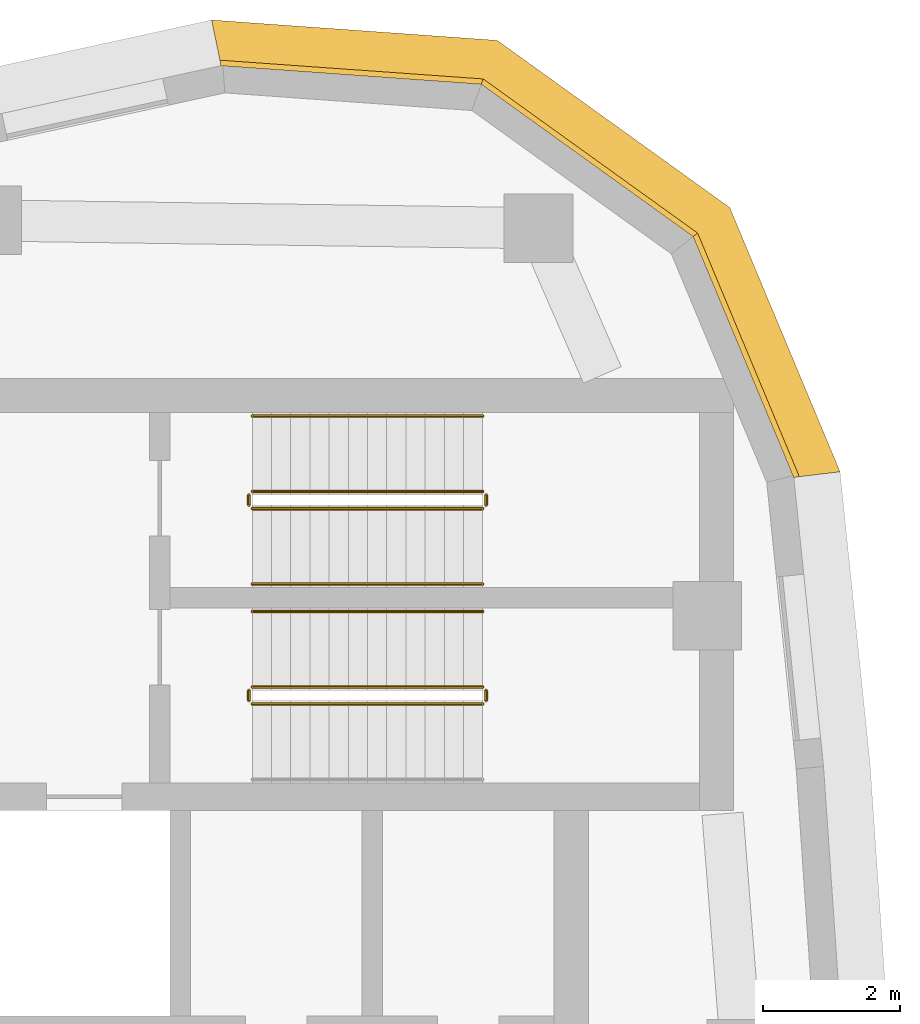
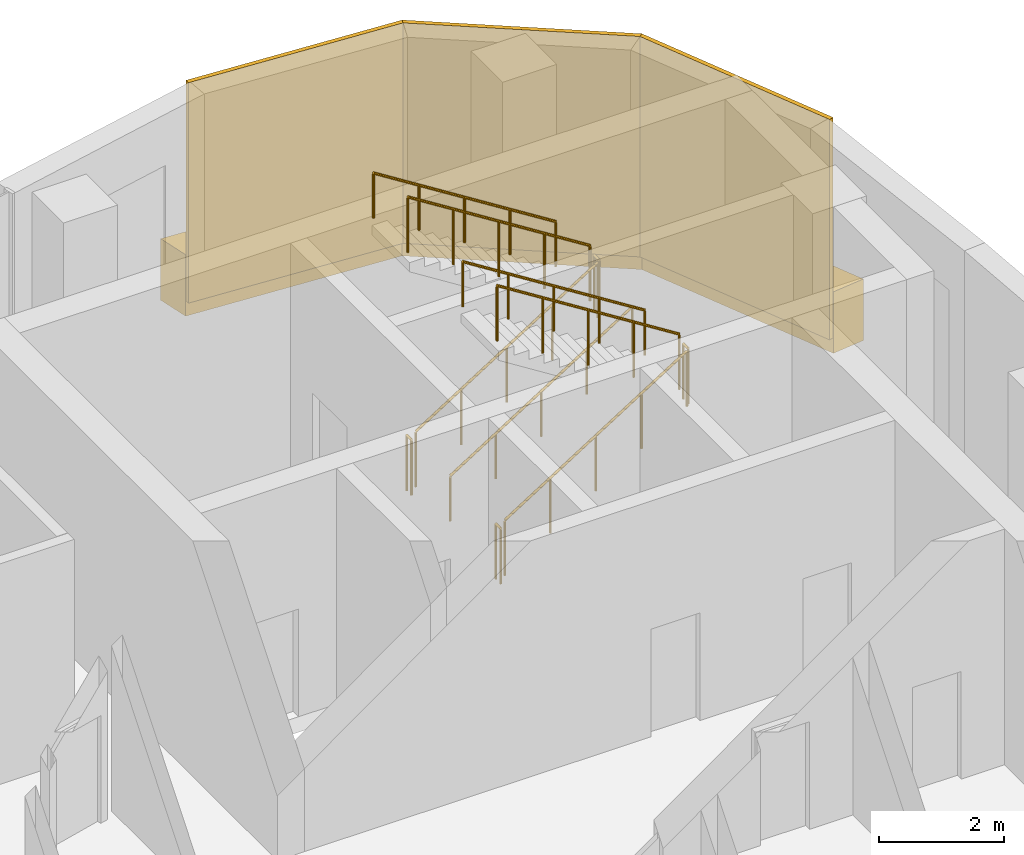
# One storey, part 14 of 15: 11 railings, 4 coverings.
"""IFC4 building model written with IfcOpenShell, lengths in metres."""

from ifc_helpers import new_model, si_unit, direction, frame, origin, origin_2d, place, context, subcontext, project, spatial, polyline, circle, outline, extrude, material, layer, layer_set, type_object, element, save


model = new_model("IFC4")

# Units and contexts
model_context = context("Model", 3, precision=1e-05, world=origin(), true_north=direction((0.0, 1.0)))
body_context = subcontext(model_context, "Body", "Model", "MODEL_VIEW")
ifc_project = project(units=[si_unit("LENGTHUNIT", "METRE"), si_unit("AREAUNIT", "SQUARE_METRE"), si_unit("VOLUMEUNIT", "CUBIC_METRE"), si_unit("PLANEANGLEUNIT", "RADIAN"), si_unit("MASSUNIT", "GRAM", prefix="KILO")], contexts=[model_context])

# Site, building, storey
site_placement = place(None, origin())
site = spatial("IfcSite", under=ifc_project, at=site_placement, CompositionType="ELEMENT")
building_placement = place(site_placement, origin())
building = spatial("IfcBuilding", under=site, at=building_placement, Name="Ostrand Prow Hotel Tower", CompositionType="ELEMENT")
storey_placement = place(building_placement, frame((0.0, 0.0, 308.60009765625)))
storey = spatial("IfcBuildingStorey", under=building, at=storey_placement, Name="C1", CompositionType="ELEMENT", Elevation=308.60009765625)

# Covering
ifc_material_1 = material(Name="Bronze anodised aluminium cladding", Category="aluminium")
ifc_layer_1 = layer(ifc_material_1, 0.60009765625)
ifc_layer_set_1 = layer_set([ifc_layer_1], Name="Bronze anodised aluminium cladding")
covering_type_1 = type_object("IfcCoveringType", Name="Bronze spandrel band 1200x600", PredefinedType="CLADDING", material=ifc_layer_set_1)
covering_1_placement = place(storey_placement, frame((0.0, 0.0, -0.300048828125)))
element("IfcCovering", 1, at=covering_1_placement, inside=storey, type_object=covering_type_1, Name="Spandrel band back 4", PredefinedType="CLADDING", context=body_context, shape_type="SweptSolid", body=[
    extrude(outline(polyline([(65.77197265625, 14.887451171875), (64.162841796875, 18.741455078125), (60.771728515625, 21.17919921875), (56.606201171875, 21.476318359375), (56.72802734375, 20.888916015625), (60.567626953125, 20.614990234375), (63.693115234375, 18.3681640625), (65.17626953125, 14.81591796875), (65.77197265625, 14.887451171875)])), origin(), (0.0, 0.0, 1.0), 1.199951171875),
])

# Railings
ifc_material_2 = material(Name="Painted steel", Category="steel")
railing_type_1 = type_object("IfcRailingType", Name="Stair guard 1100", PredefinedType="GUARDRAIL", material=ifc_material_2)
railing_1_placement = place(storey_placement, frame((57.199951171875, 11.5, 0.1767578125)))
element("IfcRailing", 2, at=railing_1_placement, inside=storey, type_object=railing_type_1, Name="C1 ST1C stair guard 1", PredefinedType="GUARDRAIL", context=body_context, shape_type="SweptSolid", body=[
    extrude(circle(Radius=0.02392578125, at=origin_2d()), frame((0.0, 0.0, 1.076171875), z_axis=(0.845389635667, 0.0, 0.534150132366), x_axis=(0.0, 1.0, 0.0)), (0.0, 0.0, 1.0), 3.974609375),
    extrude(circle(Radius=0.02099609375, at=origin_2d()), origin(), (0.0, 0.0, 1.0), 1.052001953125),
    extrude(circle(Radius=0.02099609375, at=origin_2d()), frame((0.840087890625, 0.0, 0.53076171875)), (0.0, 0.0, 1.0), 1.052001953125),
    extrude(circle(Radius=0.02099609375, at=origin_2d()), frame((1.68017578125, 0.0, 1.0615234375)), (0.0, 0.0, 1.0), 1.052001953125),
    extrude(circle(Radius=0.02099609375, at=origin_2d()), frame((2.52001953125, 0.0, 1.59228515625)), (0.0, 0.0, 1.0), 1.052001953125),
    extrude(circle(Radius=0.02099609375, at=origin_2d()), frame((3.360107421875, 0.0, 2.123046875)), (0.0, 0.0, 1.0), 1.052001953125),
])
railing_2_placement = place(storey_placement, frame((60.610107421875, 11.550048828125, 2.2998046875)))
element("IfcRailing", 3, at=railing_2_placement, inside=storey, type_object=railing_type_1, Name="C1 ST1C stair guard 2", PredefinedType="GUARDRAIL", context=body_context, shape_type="SweptSolid", body=[
    extrude(circle(Radius=0.02392578125, at=origin_2d()), frame((0.0, 0.0, 1.076171875), z_axis=(0.0, 1.0, 0.0), x_axis=(-1.0, 0.0, 0.0)), (0.0, 0.0, 1.0), 0.14990234375),
    extrude(circle(Radius=0.02099609375, at=origin_2d()), origin(), (0.0, 0.0, 1.0), 1.052001953125),
    extrude(circle(Radius=0.02099609375, at=origin_2d()), frame((0.0, 0.14990234375, 0.0)), (0.0, 0.0, 1.0), 1.052001953125),
])
railing_3_placement = place(storey_placement, frame((60.56005859375, 11.75, 2.476806640625)))
element("IfcRailing", 4, at=railing_3_placement, inside=storey, type_object=railing_type_1, Name="C1 ST1C stair guard 3", PredefinedType="GUARDRAIL", context=body_context, shape_type="SweptSolid", body=[
    extrude(circle(Radius=0.02392578125, at=origin_2d()), frame((0.0, 0.0, 1.076171875), z_axis=(-0.845389635667, 0.0, 0.534150132366), x_axis=(0.0, -1.0, 0.0)), (0.0, 0.0, 1.0), 3.974609375),
    extrude(circle(Radius=0.02099609375, at=origin_2d()), origin(), (0.0, 0.0, 1.0), 1.052001953125),
    extrude(circle(Radius=0.02099609375, at=origin_2d()), frame((-0.840087890625, 0.0, 0.53076171875)), (0.0, 0.0, 1.0), 1.052001953125),
    extrude(circle(Radius=0.02099609375, at=origin_2d()), frame((-1.68017578125, 0.0, 1.0615234375)), (0.0, 0.0, 1.0), 1.052001953125),
    extrude(circle(Radius=0.02099609375, at=origin_2d()), frame((-2.52001953125, 0.0, 1.59228515625)), (0.0, 0.0, 1.0), 1.052001953125),
    extrude(circle(Radius=0.02099609375, at=origin_2d()), frame((-3.360107421875, 0.0, 2.123046875)), (0.0, 0.0, 1.0), 1.052001953125),
])
railing_4_placement = place(storey_placement, frame((57.14990234375, 11.550048828125, 0.0)))
element("IfcRailing", 5, at=railing_4_placement, inside=storey, type_object=railing_type_1, Name="C1 ST1C stair guard 4", PredefinedType="GUARDRAIL", context=body_context, shape_type="SweptSolid", body=[
    extrude(circle(Radius=0.02392578125, at=origin_2d()), frame((0.0, 0.0, 1.076171875), z_axis=(0.0, 1.0, 0.0), x_axis=(-1.0, 0.0, 0.0)), (0.0, 0.0, 1.0), 0.14990234375),
    extrude(circle(Radius=0.02099609375, at=origin_2d()), origin(), (0.0, 0.0, 1.0), 1.052001953125),
    extrude(circle(Radius=0.02099609375, at=origin_2d()), frame((0.0, 0.14990234375, 0.0)), (0.0, 0.0, 1.0), 1.052001953125),
])
railing_5_placement = place(storey_placement, frame((57.199951171875, 14.35009765625, 0.1767578125)))
element("IfcRailing", 6, at=railing_5_placement, inside=storey, type_object=railing_type_1, Name="C1 ST3C stair guard 1", PredefinedType="GUARDRAIL", context=body_context, shape_type="SweptSolid", body=[
    extrude(circle(Radius=0.02392578125, at=origin_2d()), frame((0.0, 0.0, 1.076171875), z_axis=(0.845389635667, 0.0, 0.534150132366), x_axis=(0.0, 1.0, 0.0)), (0.0, 0.0, 1.0), 3.974609375),
    extrude(circle(Radius=0.02099609375, at=origin_2d()), origin(), (0.0, 0.0, 1.0), 1.052001953125),
    extrude(circle(Radius=0.02099609375, at=origin_2d()), frame((0.840087890625, 0.0, 0.53076171875)), (0.0, 0.0, 1.0), 1.052001953125),
    extrude(circle(Radius=0.02099609375, at=origin_2d()), frame((1.68017578125, 0.0, 1.0615234375)), (0.0, 0.0, 1.0), 1.052001953125),
    extrude(circle(Radius=0.02099609375, at=origin_2d()), frame((2.52001953125, 0.0, 1.59228515625)), (0.0, 0.0, 1.0), 1.052001953125),
    extrude(circle(Radius=0.02099609375, at=origin_2d()), frame((3.360107421875, 0.0, 2.123046875)), (0.0, 0.0, 1.0), 1.052001953125),
])
railing_6_placement = place(storey_placement, frame((60.610107421875, 14.39990234375, 2.2998046875)))
element("IfcRailing", 7, at=railing_6_placement, inside=storey, type_object=railing_type_1, Name="C1 ST3C stair guard 2", PredefinedType="GUARDRAIL", context=body_context, shape_type="SweptSolid", body=[
    extrude(circle(Radius=0.02392578125, at=origin_2d()), frame((0.0, 0.0, 1.076171875), z_axis=(0.0, 1.0, 0.0), x_axis=(-1.0, 0.0, 0.0)), (0.0, 0.0, 1.0), 0.150146484375),
    extrude(circle(Radius=0.02099609375, at=origin_2d()), origin(), (0.0, 0.0, 1.0), 1.052001953125),
    extrude(circle(Radius=0.02099609375, at=origin_2d()), frame((0.0, 0.150146484375, 0.0)), (0.0, 0.0, 1.0), 1.052001953125),
])
railing_7_placement = place(storey_placement, frame((60.56005859375, 14.60009765625, 2.476806640625)))
element("IfcRailing", 8, at=railing_7_placement, inside=storey, type_object=railing_type_1, Name="C1 ST3C stair guard 3", PredefinedType="GUARDRAIL", context=body_context, shape_type="SweptSolid", body=[
    extrude(circle(Radius=0.02392578125, at=origin_2d()), frame((0.0, 0.0, 1.076171875), z_axis=(-0.845389635667, 0.0, 0.534150132366), x_axis=(0.0, -1.0, 0.0)), (0.0, 0.0, 1.0), 3.974609375),
    extrude(circle(Radius=0.02099609375, at=origin_2d()), origin(), (0.0, 0.0, 1.0), 1.052001953125),
    extrude(circle(Radius=0.02099609375, at=origin_2d()), frame((-0.840087890625, 0.0, 0.53076171875)), (0.0, 0.0, 1.0), 1.052001953125),
    extrude(circle(Radius=0.02099609375, at=origin_2d()), frame((-1.68017578125, 0.0, 1.0615234375)), (0.0, 0.0, 1.0), 1.052001953125),
    extrude(circle(Radius=0.02099609375, at=origin_2d()), frame((-2.52001953125, 0.0, 1.59228515625)), (0.0, 0.0, 1.0), 1.052001953125),
    extrude(circle(Radius=0.02099609375, at=origin_2d()), frame((-3.360107421875, 0.0, 2.123046875)), (0.0, 0.0, 1.0), 1.052001953125),
])
railing_8_placement = place(storey_placement, frame((57.14990234375, 14.39990234375, 0.0)))
element("IfcRailing", 9, at=railing_8_placement, inside=storey, type_object=railing_type_1, Name="C1 ST3C stair guard 4", PredefinedType="GUARDRAIL", context=body_context, shape_type="SweptSolid", body=[
    extrude(circle(Radius=0.02392578125, at=origin_2d()), frame((0.0, 0.0, 1.076171875), z_axis=(0.0, 1.0, 0.0), x_axis=(-1.0, 0.0, 0.0)), (0.0, 0.0, 1.0), 0.150146484375),
    extrude(circle(Radius=0.02099609375, at=origin_2d()), origin(), (0.0, 0.0, 1.0), 1.052001953125),
    extrude(circle(Radius=0.02099609375, at=origin_2d()), frame((0.0, 0.150146484375, 0.0)), (0.0, 0.0, 1.0), 1.052001953125),
])
ifc_material_3 = material(Name="Stainless steel", Category="steel")
railing_type_2 = type_object("IfcRailingType", Name="Stair handrail 900", PredefinedType="HANDRAIL", material=ifc_material_3)
railing_9_placement = place(storey_placement, frame((60.56005859375, 12.85009765625, 2.476806640625)))
element("IfcRailing", 10, at=railing_9_placement, inside=storey, type_object=railing_type_2, Name="C1 ST1C stair handrail 2", PredefinedType="HANDRAIL", context=body_context, shape_type="SweptSolid", body=[
    extrude(circle(Radius=0.02392578125, at=origin_2d()), frame((0.0, 0.0, 0.8759765625), z_axis=(-0.845389635667, 0.0, 0.534150132366), x_axis=(0.0, -1.0, 0.0)), (0.0, 0.0, 1.0), 3.974609375),
    extrude(circle(Radius=0.02099609375, at=origin_2d()), origin(), (0.0, 0.0, 1.0), 0.851806640625),
    extrude(circle(Radius=0.02099609375, at=origin_2d()), frame((-0.840087890625, 0.0, 0.53076171875)), (0.0, 0.0, 1.0), 0.851806640625),
    extrude(circle(Radius=0.02099609375, at=origin_2d()), frame((-1.68017578125, 0.0, 1.0615234375)), (0.0, 0.0, 1.0), 0.851806640625),
    extrude(circle(Radius=0.02099609375, at=origin_2d()), frame((-2.52001953125, 0.0, 1.59228515625)), (0.0, 0.0, 1.0), 0.851806640625),
    extrude(circle(Radius=0.02099609375, at=origin_2d()), frame((-3.360107421875, 0.0, 2.123046875)), (0.0, 0.0, 1.0), 0.851806640625),
])
railing_10_placement = place(storey_placement, frame((57.199951171875, 13.25, 0.1767578125)))
element("IfcRailing", 11, at=railing_10_placement, inside=storey, type_object=railing_type_2, Name="C1 ST3C stair handrail 1", PredefinedType="HANDRAIL", context=body_context, shape_type="SweptSolid", body=[
    extrude(circle(Radius=0.02392578125, at=origin_2d()), frame((0.0, 0.0, 0.8759765625), z_axis=(0.845389635667, 0.0, 0.534150132366), x_axis=(0.0, 1.0, 0.0)), (0.0, 0.0, 1.0), 3.974609375),
    extrude(circle(Radius=0.02099609375, at=origin_2d()), origin(), (0.0, 0.0, 1.0), 0.851806640625),
    extrude(circle(Radius=0.02099609375, at=origin_2d()), frame((0.840087890625, 0.0, 0.53076171875)), (0.0, 0.0, 1.0), 0.851806640625),
    extrude(circle(Radius=0.02099609375, at=origin_2d()), frame((1.68017578125, 0.0, 1.0615234375)), (0.0, 0.0, 1.0), 0.851806640625),
    extrude(circle(Radius=0.02099609375, at=origin_2d()), frame((2.52001953125, 0.0, 1.59228515625)), (0.0, 0.0, 1.0), 0.851806640625),
    extrude(circle(Radius=0.02099609375, at=origin_2d()), frame((3.360107421875, 0.0, 2.123046875)), (0.0, 0.0, 1.0), 0.851806640625),
])
railing_11_placement = place(storey_placement, frame((60.56005859375, 15.699951171875, 2.476806640625)))
element("IfcRailing", 12, at=railing_11_placement, inside=storey, type_object=railing_type_2, Name="C1 ST3C stair handrail 2", PredefinedType="HANDRAIL", context=body_context, shape_type="SweptSolid", body=[
    extrude(circle(Radius=0.02392578125, at=origin_2d()), frame((0.0, 0.0, 0.8759765625), z_axis=(-0.845389635667, 0.0, 0.534150132366), x_axis=(0.0, -1.0, 0.0)), (0.0, 0.0, 1.0), 3.974609375),
    extrude(circle(Radius=0.02099609375, at=origin_2d()), origin(), (0.0, 0.0, 1.0), 0.851806640625),
    extrude(circle(Radius=0.02099609375, at=origin_2d()), frame((-0.840087890625, 0.0, 0.53076171875)), (0.0, 0.0, 1.0), 0.851806640625),
    extrude(circle(Radius=0.02099609375, at=origin_2d()), frame((-1.68017578125, 0.0, 1.0615234375)), (0.0, 0.0, 1.0), 0.851806640625),
    extrude(circle(Radius=0.02099609375, at=origin_2d()), frame((-2.52001953125, 0.0, 1.59228515625)), (0.0, 0.0, 1.0), 0.851806640625),
    extrude(circle(Radius=0.02099609375, at=origin_2d()), frame((-3.360107421875, 0.0, 2.123046875)), (0.0, 0.0, 1.0), 0.851806640625),
])

# Coverings
ifc_material_4 = material(Name="Limestone cladding", Category="masonry")
ifc_layer_2 = layer(ifc_material_4, 0.080078125)
ifc_layer_set_2 = layer_set([ifc_layer_2], Name="Limestone cladding")
covering_type_2 = type_object("IfcCoveringType", Name="Warm limestone cladding 80 mm", PredefinedType="CLADDING", material=ifc_layer_set_2)
covering_2_placement = place(storey_placement, frame((65.136474609375, 14.811279296875, 0.0), z_axis=(0.0, 0.0, 1.0), x_axis=(-0.385272026688, 0.922803048029, 0.0)))
element("IfcCovering", 13, at=covering_2_placement, inside=storey, type_object=covering_type_2, Name="Limestone cladding back 12", PredefinedType="CLADDING", context=body_context, shape_type="SweptSolid", body=[
    extrude(outline(polyline([(-0.005859375, -0.0400390625), (3.838623046875, -0.0400390625), (3.816162109375, 0.0400390625), (0.005859375, 0.0400390625), (-0.005859375, -0.0400390625)])), origin(), (0.0, 0.0, 1.0), 4.2998046875),
])
covering_3_placement = place(storey_placement, frame((63.661865234375, 18.34326171875, 0.0), z_axis=(0.0, 0.0, 1.0), x_axis=(-0.811975694159, 0.583691247231, 0.0)))
element("IfcCovering", 14, at=covering_3_placement, inside=storey, type_object=covering_type_2, Name="Limestone cladding back 13", PredefinedType="CLADDING", context=body_context, shape_type="SweptSolid", body=[
    extrude(outline(polyline([(-0.01123046875, -0.0400390625), (3.8388671875, -0.0400390625), (3.81640625, 0.0400390625), (0.01123046875, 0.0400390625), (-0.01123046875, -0.0400390625)])), origin(), (0.0, 0.0, 1.0), 4.2998046875),
])
covering_4_placement = place(storey_placement, frame((60.553955078125, 20.577392578125, 0.0), z_axis=(0.0, 0.0, 1.0), x_axis=(-0.997463230726, 0.071183589045, 0.0)))
element("IfcCovering", 15, at=covering_4_placement, inside=storey, type_object=covering_type_2, Name="Limestone cladding back 14", PredefinedType="CLADDING", context=body_context, shape_type="SweptSolid", body=[
    extrude(outline(polyline([(-0.01123046875, -0.0400390625), (3.83349609375, -0.0400390625), (3.82177734375, 0.0400390625), (0.01123046875, 0.0400390625), (-0.01123046875, -0.0400390625)])), origin(), (0.0, 0.0, 1.0), 4.2998046875),
])

save(model, "model.ifc")
